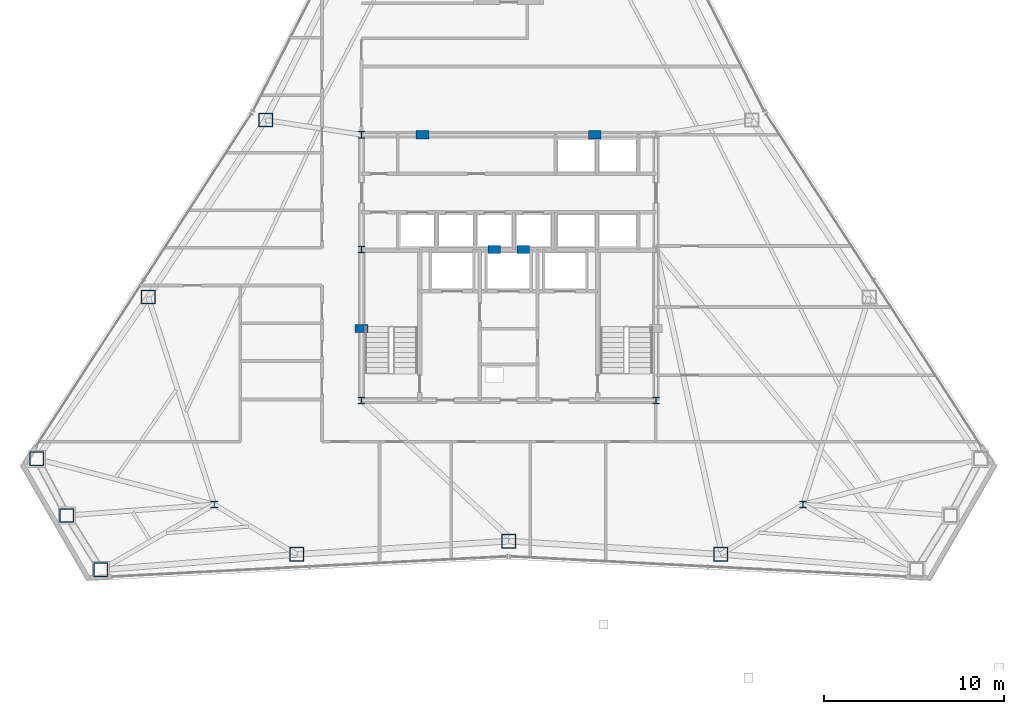
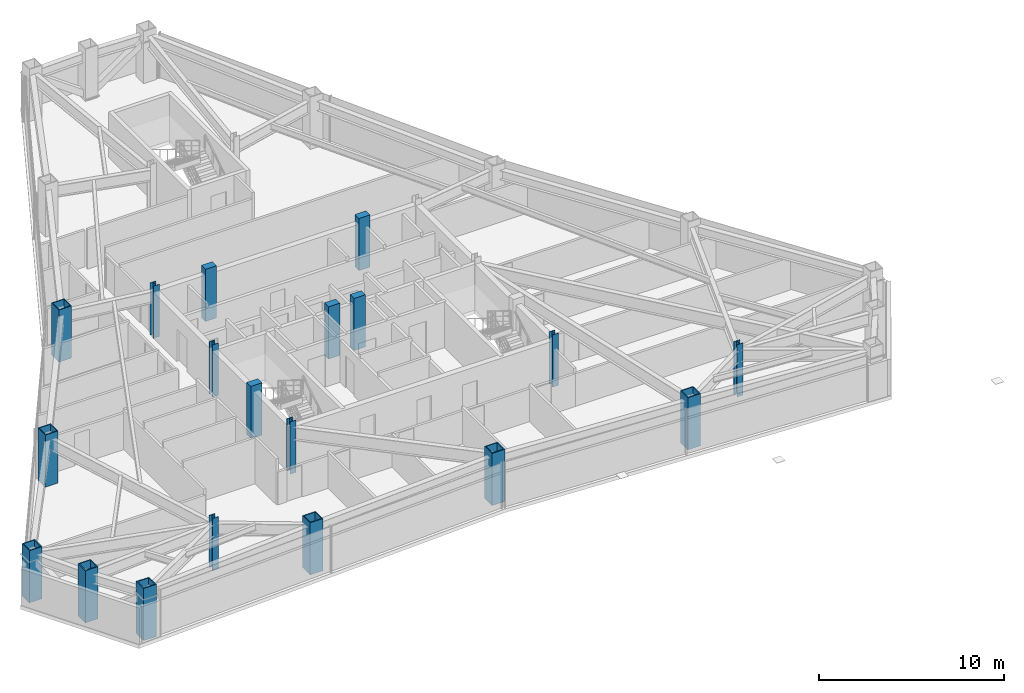
# One storey, part 1 of 12: 19 columns.
"""IFC4 building model written with IfcOpenShell, lengths in metres."""

from ifc_helpers import new_model, si_unit, direction, frame, origin, origin_2d, place, context, subcontext, project, spatial, rectangle, hollow_rectangle, i_section, extrude, material, material_profile, profile_set, type_object, element, save


model = new_model("IFC4")

# Units and contexts
model_context = context("Model", 3, precision=1e-05, world=origin(), true_north=direction((0.0, 1.0)))
body_context = subcontext(model_context, "Body", "Model", "MODEL_VIEW")
ifc_project = project(units=[si_unit("LENGTHUNIT", "METRE"), si_unit("AREAUNIT", "SQUARE_METRE"), si_unit("VOLUMEUNIT", "CUBIC_METRE"), si_unit("PLANEANGLEUNIT", "RADIAN"), si_unit("MASSUNIT", "GRAM", prefix="KILO")], contexts=[model_context])

# Site, building, storey
site_placement = place(None, origin())
site = spatial("IfcSite", under=ifc_project, at=site_placement, CompositionType="ELEMENT")
building_placement = place(site_placement, origin())
building = spatial("IfcBuilding", under=site, at=building_placement, Name="Varakhsha Concourse Tower", CompositionType="ELEMENT")
storey_placement = place(building_placement, frame((0.0, 0.0, 193.050048828125)))
storey = spatial("IfcBuildingStorey", under=building, at=storey_placement, Name="L55", CompositionType="ELEMENT", Elevation=193.050048828125)

# Columns
ifc_material_1 = material(Name="Structural Steel ASTM A992 Grade 50", Category="steel")
ifc_material_profile_1 = material_profile(ifc_material_1, i_section(OverallWidth=0.3740234375, OverallDepth=0.3720703125, WebThickness=0.01611328125, FlangeThickness=0.02587890625, at=origin_2d()), Name="W14X132")
ifc_profile_set_1 = profile_set([ifc_material_profile_1], Name="Structural Steel ASTM A992 Grade 50")
column_type_1 = type_object("IfcColumnType", Name="CL-CORE-W14X132", PredefinedType="COLUMN", material=ifc_profile_set_1)
for number, where, z_axis, x_axis, name in (
    (1, (31.800048828125, 16.39990234375, 0.0), (0.0, 0.0, 1.0), (1.0, 0.0, 0.0), "L55 Core Column CC-SW"),
    (2, (48.199951171875, 16.39990234375, 0.0), (0.0, 0.0, 1.0), (1.0, 0.0, 0.0), "L55 Core Column CC-SE"),
    (3, (31.800048828125, 24.800048828125, 0.0), (0.0, 0.0, 1.0), (1.0, 0.0, 0.0), "L55 Core Column CC-MW"),
    (4, (31.800048828125, 31.199951171875, 0.0), (0.0, 0.0, 1.0), (1.0, 0.0, 0.0), "L55 Core Column CC-NW"),
    (5, (23.60009765625, 10.60009765625, 0.0), (0.0, 0.0, 1.0), (1.0, 0.0, 0.0), "L55 Core Column SS-W"),
    (6, (56.39990234375, 10.60009765625, 0.0), (0.0, 0.0, 1.0), (1.0, 0.0, 0.0), "L55 Core Column SS-E"),
):
    element("IfcColumn", number, at=place(storey_placement, frame(where, z_axis=z_axis, x_axis=x_axis)), inside=storey, type_object=column_type_1, Name=name, PredefinedType="COLUMN", context=body_context, shape_type="SweptSolid", body=[
        extrude(i_section(OverallWidth=0.3740234375, OverallDepth=0.3720703125, WebThickness=0.01611328125, FlangeThickness=0.02587890625, at=origin_2d()), origin(), (0.0, 0.0, 1.0), 3.449951171875),
    ])
ifc_material_2 = material(Name="Concrete fc 65 MPa", Category="concrete")
ifc_material_profile_2 = material_profile(ifc_material_2, rectangle(XDim=0.699951171875, YDim=0.449951171875, at=origin_2d()), Name="RC 700x450")
ifc_profile_set_2 = profile_set([ifc_material_profile_2], Name="Concrete fc 65 MPa")
column_type_2 = type_object("IfcColumnType", Name="CL-PIL-700X450", PredefinedType="PILASTER", material=ifc_profile_set_2)
for number, where, z_axis, x_axis, name in (
    (7, (31.800048828125, 20.39990234375, 0.0), (0.0, 0.0, 1.0), (1.0, 0.0, 0.0), "L55 Core Boundary Pilaster PIL-W1"),
    (8, (35.199951171875, 31.199951171875, 0.0), (0.0, 0.0, 1.0), (1.0, 0.0, 0.0), "L55 Core Boundary Pilaster PIL-N1"),
    (9, (44.800048828125, 31.199951171875, 0.0), (0.0, 0.0, 1.0), (1.0, 0.0, 0.0), "L55 Core Boundary Pilaster PIL-N2"),
    (10, (39.199951171875, 24.800048828125, 0.0), (0.0, 0.0, 1.0), (1.0, 0.0, 0.0), "L55 Core Boundary Pilaster PIL-M1"),
    (11, (40.800048828125, 24.800048828125, 0.0), (0.0, 0.0, 1.0), (1.0, 0.0, 0.0), "L55 Core Boundary Pilaster PIL-M2"),
):
    element("IfcColumn", number, at=place(storey_placement, frame(where, z_axis=z_axis, x_axis=x_axis)), inside=storey, type_object=column_type_2, Name=name, PredefinedType="PILASTER", context=body_context, shape_type="SweptSolid", body=[
        extrude(rectangle(XDim=0.699951171875, YDim=0.449951171875, at=origin_2d()), origin(), (0.0, 0.0, 1.0), 3.449951171875),
    ])
ifc_material_3 = material(Name="Structural Steel ASTM A572 Grade 50", Category="steel")
ifc_material_profile_3 = material_profile(ifc_material_3, hollow_rectangle(XDim=0.800048828125, YDim=0.800048828125, WallThickness=0.054931640625, at=origin_2d()), Name="BOX 800x800x55")
ifc_profile_set_3 = profile_set([ifc_material_profile_3], Name="Structural Steel ASTM A572 Grade 50")
column_type_3 = type_object("IfcColumnType", Name="CL-TUBE-800", PredefinedType="COLUMN", material=ifc_profile_set_3)
for number, where, z_axis, x_axis, name in (
    (12, (26.45703125, 32.01904296875, 0.0), (0.0, 0.0, 1.0), (1.0, 0.0, 0.0), "L55 Framed-Tube Column TC05"),
    (13, (19.91748046875, 22.16162109375, 0.0), (0.0, 0.0, 1.0), (1.0, 0.0, 0.0), "L55 Framed-Tube Column TC06"),
    (14, (13.7099609375, 13.1474609375, 0.0), (0.0, 0.0, 1.0), (1.0, 0.0, 0.0), "L55 Framed-Tube Column TC07"),
    (15, (15.38916015625, 9.990966796875, 0.0), (0.0, 0.0, 1.0), (1.0, 0.0, 0.0), "L55 Framed-Tube Column TC08"),
    (16, (17.283203125, 6.95849609375, 0.0), (0.0, 0.0, 1.0), (1.0, 0.0, 0.0), "L55 Framed-Tube Column TC09"),
    (17, (28.193603515625, 7.8271484375, 0.0), (0.0, 0.0, 1.0), (1.0, 0.0, 0.0), "L55 Framed-Tube Column TC10"),
    (18, (40.0, 8.56201171875, 0.0), (0.0, 0.0, 1.0), (1.0, 0.0, 0.0), "L55 Framed-Tube Column TC11"),
    (19, (51.806396484375, 7.8271484375, 0.0), (0.0, 0.0, 1.0), (1.0, 0.0, 0.0), "L55 Framed-Tube Column TC12"),
):
    element("IfcColumn", number, at=place(storey_placement, frame(where, z_axis=z_axis, x_axis=x_axis)), inside=storey, type_object=column_type_3, Name=name, PredefinedType="COLUMN", context=body_context, shape_type="SweptSolid", body=[
        extrude(hollow_rectangle(XDim=0.800048828125, YDim=0.800048828125, WallThickness=0.054931640625, at=origin_2d()), origin(), (0.0, 0.0, 1.0), 3.449951171875),
    ])

save(model, "model.ifc")
